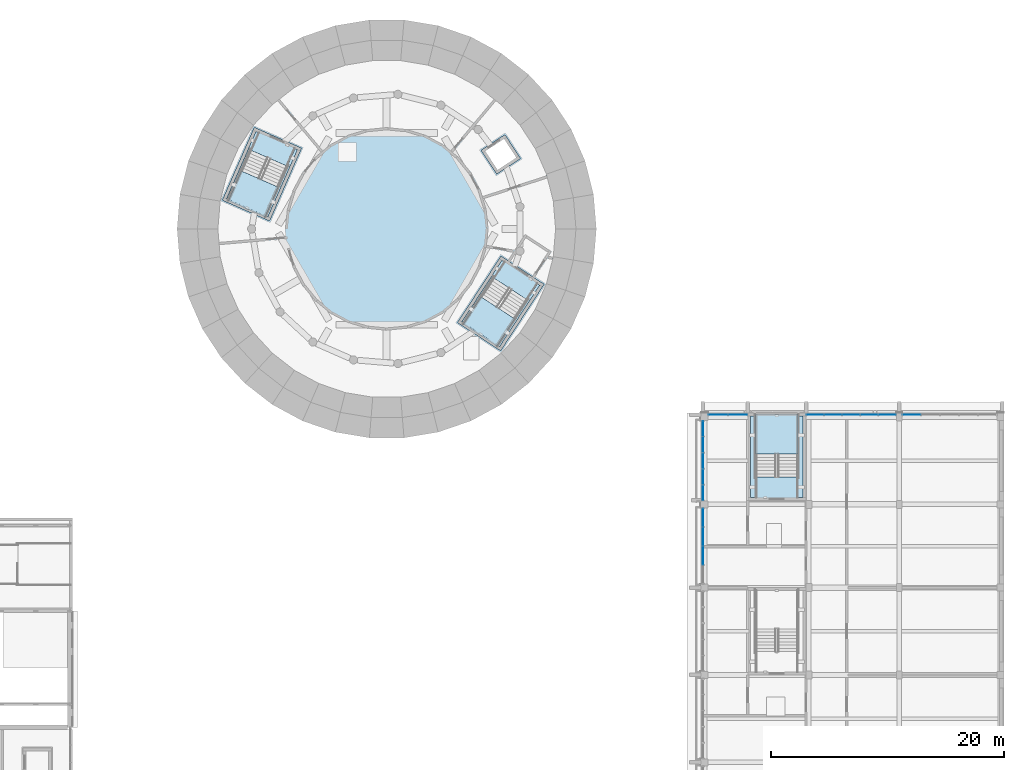
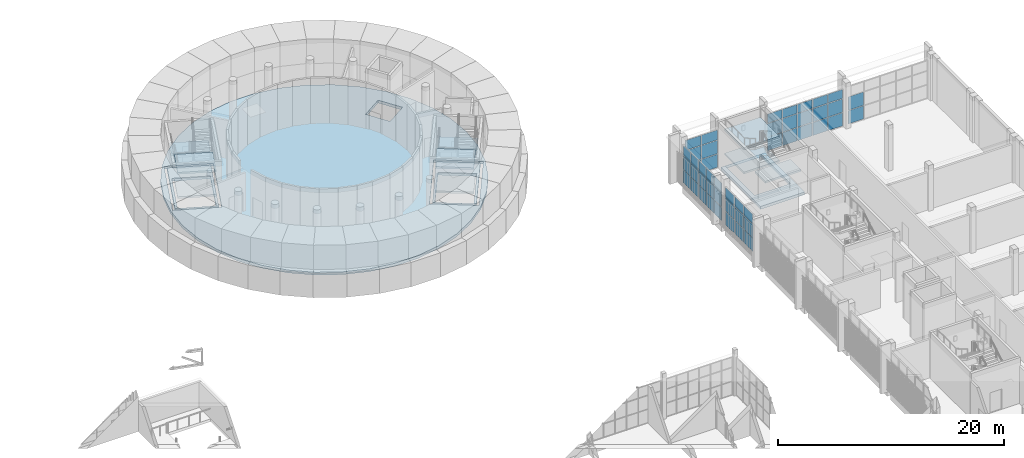
# One storey, part 62 of 125: 47 plates, 13 slabs, 8 elements without a shape of their own.
"""IFC4 building model written with IfcOpenShell, lengths in metres."""

from ifc_helpers import new_model, si_unit, direction, frame, origin, origin_2d, place, context, subcontext, project, spatial, polyline, rectangle, outline, extrude, material, layer, layer_set, type_object, element, aggregate, save


model = new_model("IFC4")

# Units and contexts
model_context = context("Model", 3, precision=1e-05, world=origin(), true_north=direction((0.0, 1.0)))
body_context = subcontext(model_context, "Body", "Model", "MODEL_VIEW")
ifc_project = project(units=[si_unit("LENGTHUNIT", "METRE"), si_unit("AREAUNIT", "SQUARE_METRE"), si_unit("VOLUMEUNIT", "CUBIC_METRE"), si_unit("PLANEANGLEUNIT", "RADIAN"), si_unit("MASSUNIT", "GRAM", prefix="KILO")], contexts=[model_context])

# Site, building, storey
site_placement = place(None, origin())
site = spatial("IfcSite", under=ifc_project, at=site_placement, CompositionType="ELEMENT")
building_placement = place(site_placement, origin())
building = spatial("IfcBuilding", under=site, at=building_placement, Name="Sun Court Science Centre", CompositionType="ELEMENT")
storey_placement = place(building_placement, frame((0.0, 0.0, 6.0)))
storey = spatial("IfcBuildingStorey", under=building, at=storey_placement, Name="L01", CompositionType="ELEMENT", Elevation=6.0)

# Slabs
ifc_material_1 = material(Name="Concrete C25/30", Category="concrete")
ifc_layer_1 = layer(ifc_material_1, 0.300048828125)
ifc_layer_set_1 = layer_set([ifc_layer_1], Name="Concrete C25/30")
slab_type_1 = type_object("IfcSlabType", Name="RC floor slab 300", PredefinedType="FLOOR", material=ifc_layer_set_1)
slab_1_placement = place(storey_placement, frame((0.0, 0.0, -0.300048828125)))
element("IfcSlab", 1, at=slab_1_placement, inside=storey, type_object=slab_type_1, Name="Stair SL4 landing slab L01", PredefinedType="FLOOR", context=body_context, shape_type="SweptSolid", body=[
    extrude(outline(polyline([(82.25, 80.75), (82.25, 73.75), (86.75, 73.75), (86.75, 80.75), (82.25, 80.75)]), holes=[polyline([(86.322998046875, 80.7451171875), (86.322998046875, 75.5029296875), (82.677001953125, 75.5029296875), (82.677001953125, 80.7451171875), (86.322998046875, 80.7451171875)])]), origin(), (0.0, 0.0, 1.0), 0.300048828125),
])
slab_2_placement = place(storey_placement, frame((0.0, 0.0, -0.300048828125)))
element("IfcSlab", 2, at=slab_2_placement, inside=storey, type_object=slab_type_1, Name="Floor slab L01", PredefinedType="FLOOR", context=body_context, shape_type="SweptSolid", body=[
    extrude(outline(polyline([(65.498291015625, 96.800048828125), (65.300537109375, 99.186279296875), (64.712646484375, 101.507568359375), (63.7509765625, 103.700439453125), (62.441162109375, 105.705078125), (60.8193359375, 107.466796875), (58.929931640625, 108.9375), (56.823974609375, 110.0771484375), (54.55908203125, 110.854736328125), (52.197265625, 111.248779296875), (49.802734375, 111.248779296875), (47.44091796875, 110.854736328125), (45.176025390625, 110.0771484375), (43.070068359375, 108.9375), (41.1806640625, 107.466796875), (39.558837890625, 105.705078125), (38.2490234375, 103.700439453125), (37.287353515625, 101.507568359375), (36.699462890625, 99.186279296875), (36.501708984375, 96.800048828125), (36.699462890625, 94.41357421875), (37.287353515625, 92.092529296875), (38.2490234375, 89.899658203125), (39.558837890625, 87.89501953125), (41.1806640625, 86.13330078125), (43.070068359375, 84.66259765625), (45.176025390625, 83.52294921875), (47.44091796875, 82.745361328125), (49.802734375, 82.351318359375), (52.197265625, 82.351318359375), (54.55908203125, 82.745361328125), (56.823974609375, 83.52294921875), (58.929931640625, 84.66259765625), (60.8193359375, 86.13330078125), (62.441162109375, 87.89501953125), (63.7509765625, 89.899658203125), (64.712646484375, 92.092529296875), (65.300537109375, 94.41357421875), (65.498291015625, 96.800048828125)]), holes=[polyline([(57.093505859375, 88.757568359375), (60.812744140625, 94.450439453125), (64.496337890625, 92.043701171875), (60.777099609375, 86.35107421875), (57.093505859375, 88.757568359375)]), polyline([(59.11669921875, 103.55126953125), (61.146728515625, 104.87744140625), (62.47314453125, 102.847412109375), (60.44287109375, 101.52099609375), (59.11669921875, 103.55126953125)]), polyline([(40.934326171875, 97.50244140625), (36.905029296875, 99.27001953125), (39.636474609375, 105.497314453125), (43.666015625, 103.729736328125), (40.934326171875, 97.50244140625)])]), origin(), (0.0, 0.0, 1.0), 0.300048828125),
])
slab_3_placement = place(storey_placement, frame((0.0, 0.0, -0.300048828125)))
element("IfcSlab", 3, at=slab_3_placement, inside=storey, type_object=slab_type_1, Name="Stair PS1 landing slab L01", PredefinedType="FLOOR", context=body_context, shape_type="SweptSolid", body=[
    extrude(outline(polyline([(60.88525390625, 94.104248046875), (57.439453125, 88.830078125), (60.704345703125, 86.697021484375), (64.150146484375, 91.97119140625), (60.88525390625, 94.104248046875)]), holes=[polyline([(57.63232421875, 88.710205078125), (60.171142578125, 92.596435546875), (63.05615234375, 90.711669921875), (60.51708984375, 86.825439453125), (57.63232421875, 88.710205078125)])]), origin(), (0.0, 0.0, 1.0), 0.300048828125),
])
slab_4_placement = place(storey_placement, frame((0.0, 0.0, -0.300048828125)))
element("IfcSlab", 4, at=slab_4_placement, inside=storey, type_object=slab_type_1, Name="Stair PS2 landing slab L01", PredefinedType="FLOOR", context=body_context, shape_type="SweptSolid", body=[
    extrude(outline(polyline([(40.805908203125, 97.831787109375), (43.336669921875, 103.601318359375), (39.76513671875, 105.167724609375), (37.234375, 99.3984375), (40.805908203125, 97.831787109375)]), holes=[polyline([(37.4443359375, 99.311767578125), (39.308837890625, 103.56298828125), (42.464599609375, 102.1787109375), (40.60009765625, 97.927490234375), (37.4443359375, 99.311767578125)])]), origin(), (0.0, 0.0, 1.0), 0.300048828125),
])

# Curtain wall, plates
ifc_material_2 = material(Name="Aluminium EN AW-6063 T6", Category="aluminium")
curtain_wall_type = type_object("IfcCurtainWallType", Name="Laboratory tall bay curtain wall 1500", PredefinedType="NOTDEFINED", material=ifc_material_2)
curtain_wall_1_placement = place(storey_placement, origin())
curtain_wall_1 = element("IfcCurtainWall", 5, at=curtain_wall_1_placement, inside=storey, type_object=curtain_wall_type, Name="Curtain wall V4 W L01 08", PredefinedType="NOTDEFINED")
ifc_material_3 = material(Name="Solar-control glass", Category="glass")
ifc_layer_2 = layer(ifc_material_3, 0.028076171875)
ifc_layer_set_2 = layer_set([ifc_layer_2], Name="Solar-control glass")
plate_type = type_object("IfcPlateType", Name="Solar-control glazing panel 8-12-8", PredefinedType="CURTAIN_PANEL", material=ifc_layer_set_2)
plate_1_placement = place(storey_placement, frame((78.14990234375, 68.75634765625, 0.06005859375), z_axis=(0.0, 0.0, 1.0), x_axis=(0.0, 1.0, 0.0)))
plate_1 = element("IfcPlate", 6, at=plate_1_placement, type_object=plate_type, Name="CW2-17 panel 2.1", PredefinedType="CURTAIN_PANEL", context=body_context, shape_type="SweptSolid", body=[
    extrude(rectangle(XDim=1.577392578125, YDim=0.028076171875, at=origin_2d()), origin(), (0.0, 0.0, 1.0), 1.409912109375),
])
plate_2_placement = place(storey_placement, frame((78.14990234375, 70.393798828125, 0.06005859375), z_axis=(0.0, 0.0, 1.0), x_axis=(0.0, 1.0, 0.0)))
plate_2 = element("IfcPlate", 7, at=plate_2_placement, type_object=plate_type, Name="CW2-17 panel 3.1", PredefinedType="CURTAIN_PANEL", context=body_context, shape_type="SweptSolid", body=[
    extrude(rectangle(XDim=1.577392578125, YDim=0.028076171875, at=origin_2d()), origin(), (0.0, 0.0, 1.0), 1.409912109375),
])
plate_3_placement = place(storey_placement, frame((78.14990234375, 72.016357421875, 0.06005859375), z_axis=(0.0, 0.0, 1.0), x_axis=(0.0, 1.0, 0.0)))
plate_3 = element("IfcPlate", 8, at=plate_3_placement, type_object=plate_type, Name="CW2-17 panel 4.1", PredefinedType="CURTAIN_PANEL", context=body_context, shape_type="SweptSolid", body=[
    extrude(rectangle(XDim=1.547607421875, YDim=0.028076171875, at=origin_2d()), origin(), (0.0, 0.0, 1.0), 1.409912109375),
])
plate_4_placement = place(storey_placement, frame((78.14990234375, 68.75634765625, 1.530029296875), z_axis=(0.0, 0.0, 1.0), x_axis=(0.0, 1.0, 0.0)))
plate_4 = element("IfcPlate", 9, at=plate_4_placement, type_object=plate_type, Name="CW2-17 panel 2.2", PredefinedType="CURTAIN_PANEL", context=body_context, shape_type="SweptSolid", body=[
    extrude(rectangle(XDim=1.577392578125, YDim=0.028076171875, at=origin_2d()), origin(), (0.0, 0.0, 1.0), 1.43994140625),
])
plate_5_placement = place(storey_placement, frame((78.14990234375, 70.393798828125, 1.530029296875), z_axis=(0.0, 0.0, 1.0), x_axis=(0.0, 1.0, 0.0)))
plate_5 = element("IfcPlate", 10, at=plate_5_placement, type_object=plate_type, Name="CW2-17 panel 3.2", PredefinedType="CURTAIN_PANEL", context=body_context, shape_type="SweptSolid", body=[
    extrude(rectangle(XDim=1.577392578125, YDim=0.028076171875, at=origin_2d()), origin(), (0.0, 0.0, 1.0), 1.43994140625),
])
plate_6_placement = place(storey_placement, frame((78.14990234375, 72.016357421875, 1.530029296875), z_axis=(0.0, 0.0, 1.0), x_axis=(0.0, 1.0, 0.0)))
plate_6 = element("IfcPlate", 11, at=plate_6_placement, type_object=plate_type, Name="CW2-17 panel 4.2", PredefinedType="CURTAIN_PANEL", context=body_context, shape_type="SweptSolid", body=[
    extrude(rectangle(XDim=1.547607421875, YDim=0.028076171875, at=origin_2d()), origin(), (0.0, 0.0, 1.0), 1.43994140625),
])
plate_7_placement = place(storey_placement, frame((78.14990234375, 68.75634765625, 3.030029296875), z_axis=(0.0, 0.0, 1.0), x_axis=(0.0, 1.0, 0.0)))
plate_7 = element("IfcPlate", 12, at=plate_7_placement, type_object=plate_type, Name="CW2-17 panel 2.3", PredefinedType="CURTAIN_PANEL", context=body_context, shape_type="SweptSolid", body=[
    extrude(rectangle(XDim=1.577392578125, YDim=0.028076171875, at=origin_2d()), origin(), (0.0, 0.0, 1.0), 1.06005859375),
])
plate_8_placement = place(storey_placement, frame((78.14990234375, 70.393798828125, 3.030029296875), z_axis=(0.0, 0.0, 1.0), x_axis=(0.0, 1.0, 0.0)))
plate_8 = element("IfcPlate", 13, at=plate_8_placement, type_object=plate_type, Name="CW2-17 panel 3.3", PredefinedType="CURTAIN_PANEL", context=body_context, shape_type="SweptSolid", body=[
    extrude(rectangle(XDim=1.577392578125, YDim=0.028076171875, at=origin_2d()), origin(), (0.0, 0.0, 1.0), 1.06005859375),
])
plate_9_placement = place(storey_placement, frame((78.14990234375, 72.016357421875, 3.030029296875), z_axis=(0.0, 0.0, 1.0), x_axis=(0.0, 1.0, 0.0)))
plate_9 = element("IfcPlate", 14, at=plate_9_placement, type_object=plate_type, Name="CW2-17 panel 4.3", PredefinedType="CURTAIN_PANEL", context=body_context, shape_type="SweptSolid", body=[
    extrude(rectangle(XDim=1.547607421875, YDim=0.028076171875, at=origin_2d()), origin(), (0.0, 0.0, 1.0), 1.06005859375),
])
aggregate(curtain_wall_1, [plate_1, plate_2, plate_3, plate_4, plate_5, plate_6, plate_7, plate_8, plate_9])

curtain_wall_2_placement = place(storey_placement, origin())
curtain_wall_2 = element("IfcCurtainWall", 15, at=curtain_wall_2_placement, inside=storey, type_object=curtain_wall_type, Name="Curtain wall V4 W L01 09", PredefinedType="NOTDEFINED")
plate_10_placement = place(storey_placement, frame((78.14990234375, 74.155029296875, 0.06005859375), z_axis=(0.0, 0.0, 1.0), x_axis=(0.0, 1.0, 0.0)))
plate_10 = element("IfcPlate", 16, at=plate_10_placement, type_object=plate_type, Name="CW2-18 panel 1.1", PredefinedType="CURTAIN_PANEL", context=body_context, shape_type="SweptSolid", body=[
    extrude(rectangle(XDim=1.2900390625, YDim=0.028076171875, at=origin_2d()), origin(), (0.0, 0.0, 1.0), 1.409912109375),
])
plate_11_placement = place(storey_placement, frame((78.14990234375, 75.52001953125, 0.06005859375), z_axis=(0.0, 0.0, 1.0), x_axis=(0.0, 1.0, 0.0)))
plate_11 = element("IfcPlate", 17, at=plate_11_placement, type_object=plate_type, Name="CW2-18 panel 2.1", PredefinedType="CURTAIN_PANEL", context=body_context, shape_type="SweptSolid", body=[
    extrude(rectangle(XDim=1.320068359375, YDim=0.028076171875, at=origin_2d()), origin(), (0.0, 0.0, 1.0), 1.409912109375),
])
plate_12_placement = place(storey_placement, frame((78.14990234375, 76.89990234375, 0.06005859375), z_axis=(0.0, 0.0, 1.0), x_axis=(0.0, 1.0, 0.0)))
plate_12 = element("IfcPlate", 18, at=plate_12_placement, type_object=plate_type, Name="CW2-18 panel 3.1", PredefinedType="CURTAIN_PANEL", context=body_context, shape_type="SweptSolid", body=[
    extrude(rectangle(XDim=1.320068359375, YDim=0.028076171875, at=origin_2d()), origin(), (0.0, 0.0, 1.0), 1.409912109375),
])
plate_13_placement = place(storey_placement, frame((78.14990234375, 78.280029296875, 0.06005859375), z_axis=(0.0, 0.0, 1.0), x_axis=(0.0, 1.0, 0.0)))
plate_13 = element("IfcPlate", 19, at=plate_13_placement, type_object=plate_type, Name="CW2-18 panel 4.1", PredefinedType="CURTAIN_PANEL", context=body_context, shape_type="SweptSolid", body=[
    extrude(rectangle(XDim=1.320068359375, YDim=0.028076171875, at=origin_2d()), origin(), (0.0, 0.0, 1.0), 1.409912109375),
])
plate_14_placement = place(storey_placement, frame((78.14990234375, 79.64501953125, 0.06005859375), z_axis=(0.0, 0.0, 1.0), x_axis=(0.0, 1.0, 0.0)))
plate_14 = element("IfcPlate", 20, at=plate_14_placement, type_object=plate_type, Name="CW2-18 panel 5.1", PredefinedType="CURTAIN_PANEL", context=body_context, shape_type="SweptSolid", body=[
    extrude(rectangle(XDim=1.2900390625, YDim=0.028076171875, at=origin_2d()), origin(), (0.0, 0.0, 1.0), 1.409912109375),
])
plate_15_placement = place(storey_placement, frame((78.14990234375, 74.155029296875, 1.530029296875), z_axis=(0.0, 0.0, 1.0), x_axis=(0.0, 1.0, 0.0)))
plate_15 = element("IfcPlate", 21, at=plate_15_placement, type_object=plate_type, Name="CW2-18 panel 1.2", PredefinedType="CURTAIN_PANEL", context=body_context, shape_type="SweptSolid", body=[
    extrude(rectangle(XDim=1.2900390625, YDim=0.028076171875, at=origin_2d()), origin(), (0.0, 0.0, 1.0), 1.43994140625),
])
plate_16_placement = place(storey_placement, frame((78.14990234375, 75.52001953125, 1.530029296875), z_axis=(0.0, 0.0, 1.0), x_axis=(0.0, 1.0, 0.0)))
plate_16 = element("IfcPlate", 22, at=plate_16_placement, type_object=plate_type, Name="CW2-18 panel 2.2", PredefinedType="CURTAIN_PANEL", context=body_context, shape_type="SweptSolid", body=[
    extrude(rectangle(XDim=1.320068359375, YDim=0.028076171875, at=origin_2d()), origin(), (0.0, 0.0, 1.0), 1.43994140625),
])
plate_17_placement = place(storey_placement, frame((78.14990234375, 76.89990234375, 1.530029296875), z_axis=(0.0, 0.0, 1.0), x_axis=(0.0, 1.0, 0.0)))
plate_17 = element("IfcPlate", 23, at=plate_17_placement, type_object=plate_type, Name="CW2-18 panel 3.2", PredefinedType="CURTAIN_PANEL", context=body_context, shape_type="SweptSolid", body=[
    extrude(rectangle(XDim=1.320068359375, YDim=0.028076171875, at=origin_2d()), origin(), (0.0, 0.0, 1.0), 1.43994140625),
])
plate_18_placement = place(storey_placement, frame((78.14990234375, 78.280029296875, 1.530029296875), z_axis=(0.0, 0.0, 1.0), x_axis=(0.0, 1.0, 0.0)))
plate_18 = element("IfcPlate", 24, at=plate_18_placement, type_object=plate_type, Name="CW2-18 panel 4.2", PredefinedType="CURTAIN_PANEL", context=body_context, shape_type="SweptSolid", body=[
    extrude(rectangle(XDim=1.320068359375, YDim=0.028076171875, at=origin_2d()), origin(), (0.0, 0.0, 1.0), 1.43994140625),
])
plate_19_placement = place(storey_placement, frame((78.14990234375, 79.64501953125, 1.530029296875), z_axis=(0.0, 0.0, 1.0), x_axis=(0.0, 1.0, 0.0)))
plate_19 = element("IfcPlate", 25, at=plate_19_placement, type_object=plate_type, Name="CW2-18 panel 5.2", PredefinedType="CURTAIN_PANEL", context=body_context, shape_type="SweptSolid", body=[
    extrude(rectangle(XDim=1.2900390625, YDim=0.028076171875, at=origin_2d()), origin(), (0.0, 0.0, 1.0), 1.43994140625),
])
plate_20_placement = place(storey_placement, frame((78.14990234375, 74.155029296875, 3.030029296875), z_axis=(0.0, 0.0, 1.0), x_axis=(0.0, 1.0, 0.0)))
plate_20 = element("IfcPlate", 26, at=plate_20_placement, type_object=plate_type, Name="CW2-18 panel 1.3", PredefinedType="CURTAIN_PANEL", context=body_context, shape_type="SweptSolid", body=[
    extrude(rectangle(XDim=1.2900390625, YDim=0.028076171875, at=origin_2d()), origin(), (0.0, 0.0, 1.0), 1.06005859375),
])
plate_21_placement = place(storey_placement, frame((78.14990234375, 75.52001953125, 3.030029296875), z_axis=(0.0, 0.0, 1.0), x_axis=(0.0, 1.0, 0.0)))
plate_21 = element("IfcPlate", 27, at=plate_21_placement, type_object=plate_type, Name="CW2-18 panel 2.3", PredefinedType="CURTAIN_PANEL", context=body_context, shape_type="SweptSolid", body=[
    extrude(rectangle(XDim=1.320068359375, YDim=0.028076171875, at=origin_2d()), origin(), (0.0, 0.0, 1.0), 1.06005859375),
])
plate_22_placement = place(storey_placement, frame((78.14990234375, 76.89990234375, 3.030029296875), z_axis=(0.0, 0.0, 1.0), x_axis=(0.0, 1.0, 0.0)))
plate_22 = element("IfcPlate", 28, at=plate_22_placement, type_object=plate_type, Name="CW2-18 panel 3.3", PredefinedType="CURTAIN_PANEL", context=body_context, shape_type="SweptSolid", body=[
    extrude(rectangle(XDim=1.320068359375, YDim=0.028076171875, at=origin_2d()), origin(), (0.0, 0.0, 1.0), 1.06005859375),
])
plate_23_placement = place(storey_placement, frame((78.14990234375, 78.280029296875, 3.030029296875), z_axis=(0.0, 0.0, 1.0), x_axis=(0.0, 1.0, 0.0)))
plate_23 = element("IfcPlate", 29, at=plate_23_placement, type_object=plate_type, Name="CW2-18 panel 4.3", PredefinedType="CURTAIN_PANEL", context=body_context, shape_type="SweptSolid", body=[
    extrude(rectangle(XDim=1.320068359375, YDim=0.028076171875, at=origin_2d()), origin(), (0.0, 0.0, 1.0), 1.06005859375),
])
plate_24_placement = place(storey_placement, frame((78.14990234375, 79.64501953125, 3.030029296875), z_axis=(0.0, 0.0, 1.0), x_axis=(0.0, 1.0, 0.0)))
plate_24 = element("IfcPlate", 30, at=plate_24_placement, type_object=plate_type, Name="CW2-18 panel 5.3", PredefinedType="CURTAIN_PANEL", context=body_context, shape_type="SweptSolid", body=[
    extrude(rectangle(XDim=1.2900390625, YDim=0.028076171875, at=origin_2d()), origin(), (0.0, 0.0, 1.0), 1.06005859375),
])
aggregate(curtain_wall_2, [plate_10, plate_11, plate_12, plate_13, plate_14, plate_15, plate_16, plate_17, plate_18, plate_19, plate_20, plate_21, plate_22, plate_23, plate_24])

curtain_wall_3_placement = place(storey_placement, origin())
curtain_wall_3 = element("IfcCurtainWall", 31, at=curtain_wall_3_placement, inside=storey, type_object=curtain_wall_type, Name="Curtain wall V4 N L01 01", PredefinedType="NOTDEFINED")
plate_25_placement = place(storey_placement, frame((79.465087890625, 80.85009765625, 0.06005859375), z_axis=(0.0, 0.0, 1.0), x_axis=(1.0, 0.0, 0.0)))
plate_25 = element("IfcPlate", 32, at=plate_25_placement, type_object=plate_type, Name="CW2-64 panel 1.1", PredefinedType="CURTAIN_PANEL", context=body_context, shape_type="SweptSolid", body=[
    extrude(rectangle(XDim=1.610107421875, YDim=0.028076171875, at=origin_2d()), origin(), (0.0, 0.0, 1.0), 1.409912109375),
])
plate_26_placement = place(storey_placement, frame((81.135009765625, 80.85009765625, 0.06005859375), z_axis=(0.0, 0.0, 1.0), x_axis=(1.0, 0.0, 0.0)))
plate_26 = element("IfcPlate", 33, at=plate_26_placement, type_object=plate_type, Name="CW2-64 panel 2.1", PredefinedType="CURTAIN_PANEL", context=body_context, shape_type="SweptSolid", body=[
    extrude(rectangle(XDim=1.610107421875, YDim=0.028076171875, at=origin_2d()), origin(), (0.0, 0.0, 1.0), 1.409912109375),
])
plate_27_placement = place(storey_placement, frame((79.465087890625, 80.85009765625, 1.530029296875), z_axis=(0.0, 0.0, 1.0), x_axis=(1.0, 0.0, 0.0)))
plate_27 = element("IfcPlate", 34, at=plate_27_placement, type_object=plate_type, Name="CW2-64 panel 1.2", PredefinedType="CURTAIN_PANEL", context=body_context, shape_type="SweptSolid", body=[
    extrude(rectangle(XDim=1.610107421875, YDim=0.028076171875, at=origin_2d()), origin(), (0.0, 0.0, 1.0), 1.43994140625),
])
plate_28_placement = place(storey_placement, frame((81.135009765625, 80.85009765625, 1.530029296875), z_axis=(0.0, 0.0, 1.0), x_axis=(1.0, 0.0, 0.0)))
plate_28 = element("IfcPlate", 35, at=plate_28_placement, type_object=plate_type, Name="CW2-64 panel 2.2", PredefinedType="CURTAIN_PANEL", context=body_context, shape_type="SweptSolid", body=[
    extrude(rectangle(XDim=1.610107421875, YDim=0.028076171875, at=origin_2d()), origin(), (0.0, 0.0, 1.0), 1.43994140625),
])
plate_29_placement = place(storey_placement, frame((79.465087890625, 80.85009765625, 3.030029296875), z_axis=(0.0, 0.0, 1.0), x_axis=(1.0, 0.0, 0.0)))
plate_29 = element("IfcPlate", 36, at=plate_29_placement, type_object=plate_type, Name="CW2-64 panel 1.3", PredefinedType="CURTAIN_PANEL", context=body_context, shape_type="SweptSolid", body=[
    extrude(rectangle(XDim=1.610107421875, YDim=0.028076171875, at=origin_2d()), origin(), (0.0, 0.0, 1.0), 1.06005859375),
])
plate_30_placement = place(storey_placement, frame((81.135009765625, 80.85009765625, 3.030029296875), z_axis=(0.0, 0.0, 1.0), x_axis=(1.0, 0.0, 0.0)))
plate_30 = element("IfcPlate", 37, at=plate_30_placement, type_object=plate_type, Name="CW2-64 panel 2.3", PredefinedType="CURTAIN_PANEL", context=body_context, shape_type="SweptSolid", body=[
    extrude(rectangle(XDim=1.610107421875, YDim=0.028076171875, at=origin_2d()), origin(), (0.0, 0.0, 1.0), 1.06005859375),
])
aggregate(curtain_wall_3, [plate_25, plate_26, plate_27, plate_28, plate_29, plate_30])

curtain_wall_4_placement = place(storey_placement, origin())
curtain_wall_4 = element("IfcCurtainWall", 38, at=curtain_wall_4_placement, inside=storey, type_object=curtain_wall_type, Name="Curtain wall V4 N L01 02", PredefinedType="NOTDEFINED")
plate_31_placement = place(storey_placement, frame((87.7900390625, 80.85009765625, 0.06005859375), z_axis=(0.0, 0.0, 1.0), x_axis=(1.0, 0.0, 0.0)))
plate_31 = element("IfcPlate", 39, at=plate_31_placement, type_object=plate_type, Name="CW2-65 panel 1.1", PredefinedType="CURTAIN_PANEL", context=body_context, shape_type="SweptSolid", body=[
    extrude(rectangle(XDim=1.4599609375, YDim=0.028076171875, at=origin_2d()), origin(), (0.0, 0.0, 1.0), 1.409912109375),
])
plate_32_placement = place(storey_placement, frame((89.324951171875, 80.85009765625, 0.06005859375), z_axis=(0.0, 0.0, 1.0), x_axis=(1.0, 0.0, 0.0)))
plate_32 = element("IfcPlate", 40, at=plate_32_placement, type_object=plate_type, Name="CW2-65 panel 2.1", PredefinedType="CURTAIN_PANEL", context=body_context, shape_type="SweptSolid", body=[
    extrude(rectangle(XDim=1.489990234375, YDim=0.028076171875, at=origin_2d()), origin(), (0.0, 0.0, 1.0), 1.409912109375),
])
plate_33_placement = place(storey_placement, frame((90.875, 80.85009765625, 0.06005859375), z_axis=(0.0, 0.0, 1.0), x_axis=(1.0, 0.0, 0.0)))
plate_33 = element("IfcPlate", 41, at=plate_33_placement, type_object=plate_type, Name="CW2-65 panel 3.1", PredefinedType="CURTAIN_PANEL", context=body_context, shape_type="SweptSolid", body=[
    extrude(rectangle(XDim=1.489990234375, YDim=0.028076171875, at=origin_2d()), origin(), (0.0, 0.0, 1.0), 1.409912109375),
])
plate_34_placement = place(storey_placement, frame((92.425048828125, 80.85009765625, 0.06005859375), z_axis=(0.0, 0.0, 1.0), x_axis=(1.0, 0.0, 0.0)))
plate_34 = element("IfcPlate", 42, at=plate_34_placement, type_object=plate_type, Name="CW2-65 panel 4.1", PredefinedType="CURTAIN_PANEL", context=body_context, shape_type="SweptSolid", body=[
    extrude(rectangle(XDim=1.489990234375, YDim=0.028076171875, at=origin_2d()), origin(), (0.0, 0.0, 1.0), 1.409912109375),
])
plate_35_placement = place(storey_placement, frame((93.9599609375, 80.85009765625, 0.06005859375), z_axis=(0.0, 0.0, 1.0), x_axis=(1.0, 0.0, 0.0)))
plate_35 = element("IfcPlate", 43, at=plate_35_placement, type_object=plate_type, Name="CW2-65 panel 5.1", PredefinedType="CURTAIN_PANEL", context=body_context, shape_type="SweptSolid", body=[
    extrude(rectangle(XDim=1.4599609375, YDim=0.028076171875, at=origin_2d()), origin(), (0.0, 0.0, 1.0), 1.409912109375),
])
plate_36_placement = place(storey_placement, frame((87.7900390625, 80.85009765625, 1.530029296875), z_axis=(0.0, 0.0, 1.0), x_axis=(1.0, 0.0, 0.0)))
plate_36 = element("IfcPlate", 44, at=plate_36_placement, type_object=plate_type, Name="CW2-65 panel 1.2", PredefinedType="CURTAIN_PANEL", context=body_context, shape_type="SweptSolid", body=[
    extrude(rectangle(XDim=1.4599609375, YDim=0.028076171875, at=origin_2d()), origin(), (0.0, 0.0, 1.0), 1.43994140625),
])
plate_37_placement = place(storey_placement, frame((89.324951171875, 80.85009765625, 1.530029296875), z_axis=(0.0, 0.0, 1.0), x_axis=(1.0, 0.0, 0.0)))
plate_37 = element("IfcPlate", 45, at=plate_37_placement, type_object=plate_type, Name="CW2-65 panel 2.2", PredefinedType="CURTAIN_PANEL", context=body_context, shape_type="SweptSolid", body=[
    extrude(rectangle(XDim=1.489990234375, YDim=0.028076171875, at=origin_2d()), origin(), (0.0, 0.0, 1.0), 1.43994140625),
])
plate_38_placement = place(storey_placement, frame((90.875, 80.85009765625, 1.530029296875), z_axis=(0.0, 0.0, 1.0), x_axis=(1.0, 0.0, 0.0)))
plate_38 = element("IfcPlate", 46, at=plate_38_placement, type_object=plate_type, Name="CW2-65 panel 3.2", PredefinedType="CURTAIN_PANEL", context=body_context, shape_type="SweptSolid", body=[
    extrude(rectangle(XDim=1.489990234375, YDim=0.028076171875, at=origin_2d()), origin(), (0.0, 0.0, 1.0), 1.43994140625),
])
plate_39_placement = place(storey_placement, frame((92.425048828125, 80.85009765625, 1.530029296875), z_axis=(0.0, 0.0, 1.0), x_axis=(1.0, 0.0, 0.0)))
plate_39 = element("IfcPlate", 47, at=plate_39_placement, type_object=plate_type, Name="CW2-65 panel 4.2", PredefinedType="CURTAIN_PANEL", context=body_context, shape_type="SweptSolid", body=[
    extrude(rectangle(XDim=1.489990234375, YDim=0.028076171875, at=origin_2d()), origin(), (0.0, 0.0, 1.0), 1.43994140625),
])
plate_40_placement = place(storey_placement, frame((93.9599609375, 80.85009765625, 1.530029296875), z_axis=(0.0, 0.0, 1.0), x_axis=(1.0, 0.0, 0.0)))
plate_40 = element("IfcPlate", 48, at=plate_40_placement, type_object=plate_type, Name="CW2-65 panel 5.2", PredefinedType="CURTAIN_PANEL", context=body_context, shape_type="SweptSolid", body=[
    extrude(rectangle(XDim=1.4599609375, YDim=0.028076171875, at=origin_2d()), origin(), (0.0, 0.0, 1.0), 1.43994140625),
])
plate_41_placement = place(storey_placement, frame((87.7900390625, 80.85009765625, 3.030029296875), z_axis=(0.0, 0.0, 1.0), x_axis=(1.0, 0.0, 0.0)))
plate_41 = element("IfcPlate", 49, at=plate_41_placement, type_object=plate_type, Name="CW2-65 panel 1.3", PredefinedType="CURTAIN_PANEL", context=body_context, shape_type="SweptSolid", body=[
    extrude(rectangle(XDim=1.4599609375, YDim=0.028076171875, at=origin_2d()), origin(), (0.0, 0.0, 1.0), 0.9599609375),
])
plate_42_placement = place(storey_placement, frame((89.324951171875, 80.85009765625, 3.030029296875), z_axis=(0.0, 0.0, 1.0), x_axis=(1.0, 0.0, 0.0)))
plate_42 = element("IfcPlate", 50, at=plate_42_placement, type_object=plate_type, Name="CW2-65 panel 2.3", PredefinedType="CURTAIN_PANEL", context=body_context, shape_type="SweptSolid", body=[
    extrude(rectangle(XDim=1.489990234375, YDim=0.028076171875, at=origin_2d()), origin(), (0.0, 0.0, 1.0), 0.9599609375),
])
plate_43_placement = place(storey_placement, frame((90.875, 80.85009765625, 3.030029296875), z_axis=(0.0, 0.0, 1.0), x_axis=(1.0, 0.0, 0.0)))
plate_43 = element("IfcPlate", 51, at=plate_43_placement, type_object=plate_type, Name="CW2-65 panel 3.3", PredefinedType="CURTAIN_PANEL", context=body_context, shape_type="SweptSolid", body=[
    extrude(rectangle(XDim=1.489990234375, YDim=0.028076171875, at=origin_2d()), origin(), (0.0, 0.0, 1.0), 0.9599609375),
])
plate_44_placement = place(storey_placement, frame((92.425048828125, 80.85009765625, 3.030029296875), z_axis=(0.0, 0.0, 1.0), x_axis=(1.0, 0.0, 0.0)))
plate_44 = element("IfcPlate", 52, at=plate_44_placement, type_object=plate_type, Name="CW2-65 panel 4.3", PredefinedType="CURTAIN_PANEL", context=body_context, shape_type="SweptSolid", body=[
    extrude(rectangle(XDim=1.489990234375, YDim=0.028076171875, at=origin_2d()), origin(), (0.0, 0.0, 1.0), 0.9599609375),
])
plate_45_placement = place(storey_placement, frame((93.9599609375, 80.85009765625, 3.030029296875), z_axis=(0.0, 0.0, 1.0), x_axis=(1.0, 0.0, 0.0)))
plate_45 = element("IfcPlate", 53, at=plate_45_placement, type_object=plate_type, Name="CW2-65 panel 5.3", PredefinedType="CURTAIN_PANEL", context=body_context, shape_type="SweptSolid", body=[
    extrude(rectangle(XDim=1.4599609375, YDim=0.028076171875, at=origin_2d()), origin(), (0.0, 0.0, 1.0), 0.9599609375),
])
aggregate(curtain_wall_4, [plate_31, plate_32, plate_33, plate_34, plate_35, plate_36, plate_37, plate_38, plate_39, plate_40, plate_41, plate_42, plate_43, plate_44, plate_45])

curtain_wall_5_placement = place(storey_placement, origin())
curtain_wall_5 = element("IfcCurtainWall", 54, at=curtain_wall_5_placement, inside=storey, type_object=curtain_wall_type, Name="Curtain wall V4 N L01 03", PredefinedType="NOTDEFINED")
plate_46_placement = place(storey_placement, frame((96.080078125, 80.85009765625, 0.06005859375), z_axis=(0.0, 0.0, 1.0), x_axis=(1.0, 0.0, 0.0)))
plate_46 = element("IfcPlate", 55, at=plate_46_placement, type_object=plate_type, Name="CW2-66 panel 1.1", PredefinedType="CURTAIN_PANEL", context=body_context, shape_type="SweptSolid", body=[
    extrude(rectangle(XDim=1.5400390625, YDim=0.028076171875, at=origin_2d()), origin(), (0.0, 0.0, 1.0), 1.409912109375),
])
plate_47_placement = place(storey_placement, frame((96.080078125, 80.85009765625, 1.530029296875), z_axis=(0.0, 0.0, 1.0), x_axis=(1.0, 0.0, 0.0)))
plate_47 = element("IfcPlate", 56, at=plate_47_placement, type_object=plate_type, Name="CW2-66 panel 1.2", PredefinedType="CURTAIN_PANEL", context=body_context, shape_type="SweptSolid", body=[
    extrude(rectangle(XDim=1.5400390625, YDim=0.028076171875, at=origin_2d()), origin(), (0.0, 0.0, 1.0), 1.43994140625),
])
aggregate(curtain_wall_5, [plate_46, plate_47])

# Stair, slabs
ifc_material_4 = material(Name="Concrete C25/30", Category="concrete")
stair_type_1 = type_object("IfcStairType", Name="Stair 1500 enclosed half-turn", PredefinedType="HALF_TURN_STAIR", material=ifc_material_4)
stair_1_placement = place(storey_placement, origin())
stair_1 = element("IfcStair", 57, at=stair_1_placement, inside=storey, type_object=stair_type_1, Name="L01 Stair SL4", PredefinedType="HALF_TURN_STAIR")
ifc_material_5 = material(Name="Concrete C25/30", Category="concrete")
ifc_layer_3 = layer(ifc_material_5, 0.199951171875)
ifc_layer_set_3 = layer_set([ifc_layer_3], Name="Concrete C25/30")
slab_type_2 = type_object("IfcSlabType", Name="Stair landing 200", PredefinedType="LANDING", material=ifc_layer_set_3)
slab_5_placement = place(storey_placement, frame((0.0, 0.0, 1.112548828125)))
slab_5 = element("IfcSlab", 58, at=slab_5_placement, type_object=slab_type_2, Name="SL4 landing 1", PredefinedType="LANDING", context=body_context, shape_type="SweptSolid", body=[
    extrude(outline(polyline([(86.322998046875, 77.4541015625), (86.322998046875, 80.85009765625), (82.677001953125, 80.85009765625), (82.677001953125, 77.4541015625), (86.322998046875, 77.4541015625)])), origin(), (0.0, 0.0, 1.0), 0.199951171875),
])
slab_6_placement = place(storey_placement, frame((0.0, 0.0, 2.425048828125)))
slab_6 = element("IfcSlab", 59, at=slab_6_placement, type_object=slab_type_2, Name="SL4 landing 2", PredefinedType="LANDING", context=body_context, shape_type="SweptSolid", body=[
    extrude(outline(polyline([(86.322998046875, 73.64990234375), (86.322998046875, 75.501953125), (82.677001953125, 75.501953125), (82.677001953125, 73.64990234375), (86.322998046875, 73.64990234375)])), origin(), (0.0, 0.0, 1.0), 0.199951171875),
])
slab_7_placement = place(storey_placement, frame((0.0, 0.0, 3.737548828125)))
slab_7 = element("IfcSlab", 60, at=slab_7_placement, type_object=slab_type_2, Name="SL4 landing 3", PredefinedType="LANDING", context=body_context, shape_type="SweptSolid", body=[
    extrude(outline(polyline([(86.322998046875, 77.4541015625), (86.322998046875, 80.85009765625), (82.677001953125, 80.85009765625), (82.677001953125, 77.4541015625), (86.322998046875, 77.4541015625)])), origin(), (0.0, 0.0, 1.0), 0.199951171875),
])
aggregate(stair_1, [slab_5, slab_6, slab_7])

ifc_material_6 = material(Name="Concrete C25/30", Category="concrete")
stair_type_2 = type_object("IfcStairType", Name="Stair 1500 drum half-turn", PredefinedType="HALF_TURN_STAIR", material=ifc_material_6)
stair_2_placement = place(storey_placement, origin())
stair_2 = element("IfcStair", 61, at=stair_2_placement, inside=storey, type_object=stair_type_2, Name="L01 Stair PS1", PredefinedType="HALF_TURN_STAIR")
slab_8_placement = place(storey_placement, frame((0.0, 0.0, 1.112548828125)))
slab_8 = element("IfcSlab", 62, at=slab_8_placement, type_object=slab_type_2, Name="PS1 landing 1", PredefinedType="LANDING", context=body_context, shape_type="SweptSolid", body=[
    extrude(outline(polyline([(59.10400390625, 90.963134765625), (57.57470703125, 88.622314453125), (60.459716796875, 86.737548828125), (61.989013671875, 89.078125), (59.10400390625, 90.963134765625)])), origin(), (0.0, 0.0, 1.0), 0.199951171875),
])
slab_9_placement = place(storey_placement, frame((0.0, 0.0, 2.425048828125)))
slab_9 = element("IfcSlab", 63, at=slab_9_placement, type_object=slab_type_2, Name="PS1 landing 2", PredefinedType="LANDING", context=body_context, shape_type="SweptSolid", body=[
    extrude(outline(polyline([(61.1298828125, 94.06396484375), (60.171630859375, 92.59716796875), (63.056640625, 90.71240234375), (64.014892578125, 92.17919921875), (61.1298828125, 94.06396484375)])), origin(), (0.0, 0.0, 1.0), 0.199951171875),
])
slab_10_placement = place(storey_placement, frame((0.0, 0.0, 3.737548828125)))
slab_10 = element("IfcSlab", 64, at=slab_10_placement, type_object=slab_type_2, Name="PS1 landing 3", PredefinedType="LANDING", context=body_context, shape_type="SweptSolid", body=[
    extrude(outline(polyline([(59.10400390625, 90.963134765625), (57.57470703125, 88.622314453125), (60.459716796875, 86.737548828125), (61.989013671875, 89.078125), (59.10400390625, 90.963134765625)])), origin(), (0.0, 0.0, 1.0), 0.199951171875),
])
aggregate(stair_2, [slab_8, slab_9, slab_10])

stair_3_placement = place(storey_placement, origin())
stair_3 = element("IfcStair", 65, at=stair_3_placement, inside=storey, type_object=stair_type_2, Name="L01 Stair PS2", PredefinedType="HALF_TURN_STAIR")
slab_11_placement = place(storey_placement, frame((0.0, 0.0, 1.112548828125)))
slab_11 = element("IfcSlab", 66, at=slab_11_placement, type_object=slab_type_2, Name="PS2 landing 1", PredefinedType="LANDING", context=body_context, shape_type="SweptSolid", body=[
    extrude(outline(polyline([(38.525146484375, 101.776123046875), (37.402099609375, 99.215576171875), (40.557861328125, 97.83154296875), (41.680908203125, 100.391845703125), (38.525146484375, 101.776123046875)])), origin(), (0.0, 0.0, 1.0), 0.199951171875),
])
slab_12_placement = place(storey_placement, frame((0.0, 0.0, 2.425048828125)))
slab_12 = element("IfcSlab", 67, at=slab_12_placement, type_object=slab_type_2, Name="PS2 landing 2", PredefinedType="LANDING", context=body_context, shape_type="SweptSolid", body=[
    extrude(outline(polyline([(40.01318359375, 105.168212890625), (39.309326171875, 103.563720703125), (42.465087890625, 102.179443359375), (43.1689453125, 103.783935546875), (40.01318359375, 105.168212890625)])), origin(), (0.0, 0.0, 1.0), 0.199951171875),
])
slab_13_placement = place(storey_placement, frame((0.0, 0.0, 3.737548828125)))
slab_13 = element("IfcSlab", 68, at=slab_13_placement, type_object=slab_type_2, Name="PS2 landing 3", PredefinedType="LANDING", context=body_context, shape_type="SweptSolid", body=[
    extrude(outline(polyline([(38.525146484375, 101.776123046875), (37.402099609375, 99.215576171875), (40.557861328125, 97.83154296875), (41.680908203125, 100.391845703125), (38.525146484375, 101.776123046875)])), origin(), (0.0, 0.0, 1.0), 0.199951171875),
])
aggregate(stair_3, [slab_11, slab_12, slab_13])

save(model, "model.ifc")
